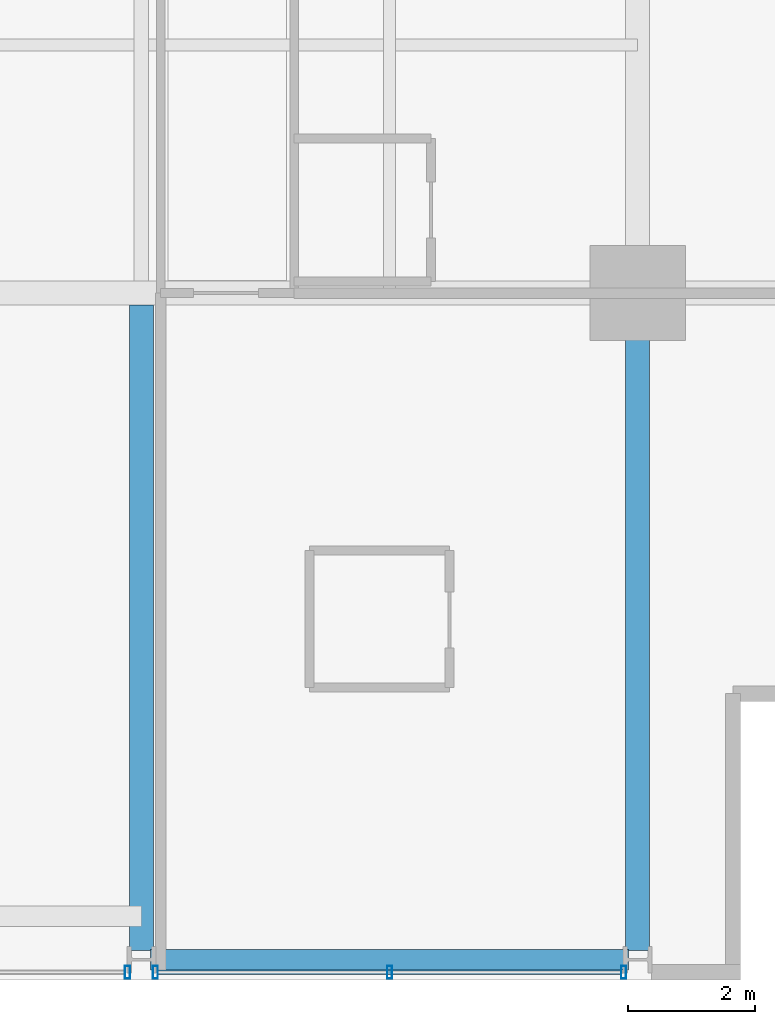
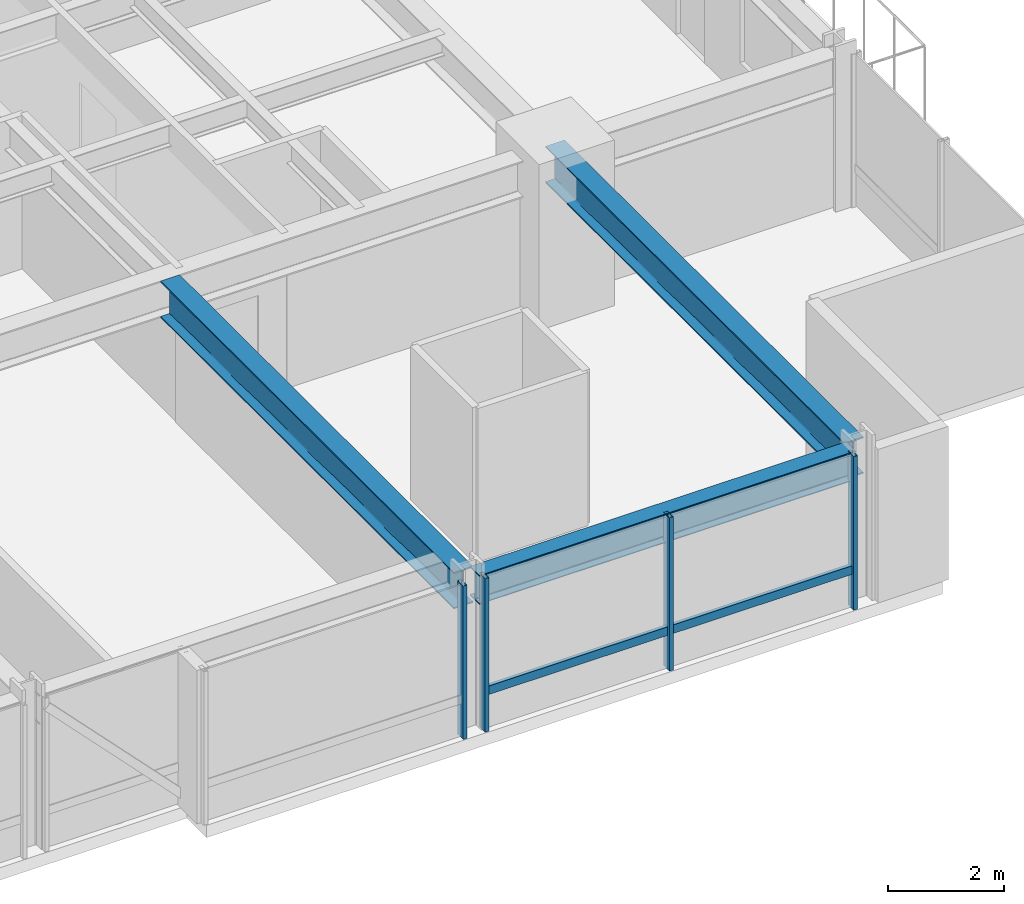
# One storey, part 11 of 34: 5 members, 3 beams, 2 elements without a shape of their own.
"""IFC4 building model written with IfcOpenShell, lengths in metres."""

from ifc_helpers import new_model, si_unit, direction, frame, origin, origin_2d, place, context, subcontext, project, spatial, hollow_rectangle, i_section, extrude, material, layer, layer_set, material_profile, profile_set, type_object, element, aggregate, save


model = new_model("IFC4")

# Units and contexts
model_context = context("Model", 3, precision=1e-05, world=origin(), true_north=direction((0.0, 1.0)))
body_context = subcontext(model_context, "Body", "Model", "MODEL_VIEW")
ifc_project = project(units=[si_unit("LENGTHUNIT", "METRE"), si_unit("AREAUNIT", "SQUARE_METRE"), si_unit("VOLUMEUNIT", "CUBIC_METRE"), si_unit("PLANEANGLEUNIT", "RADIAN"), si_unit("MASSUNIT", "GRAM", prefix="KILO")], contexts=[model_context])

# Site, building, storey
site_placement = place(None, origin())
site = spatial("IfcSite", under=ifc_project, at=site_placement, CompositionType="ELEMENT")
building_placement = place(site_placement, origin())
building = spatial("IfcBuilding", under=site, at=building_placement, Name="Drelvath Grand Hotel", CompositionType="ELEMENT")
storey_placement = place(building_placement, frame((0.0, 0.0, 116.300048828125)))
storey = spatial("IfcBuildingStorey", under=building, at=storey_placement, Name="L29", CompositionType="ELEMENT", Elevation=116.300048828125)

# Curtain wall, member
ifc_material_1 = material(Name="Champagne Bronze Anodised Aluminium Frame", Category="aluminium")
ifc_layer = layer(ifc_material_1, 0.199951171875)
ifc_layer_set = layer_set([ifc_layer], Name="Champagne Bronze Anodised Aluminium Frame")
curtain_wall_type = type_object("IfcCurtainWallType", Name="Stick Curtain Wall CW-03 Champagne Bronze Mid-Rise", PredefinedType="NOTDEFINED", material=ifc_layer_set)
curtain_wall_1_placement = place(storey_placement, origin())
curtain_wall_1 = element("IfcCurtainWall", 1, at=curtain_wall_1_placement, inside=storey, type_object=curtain_wall_type, Name="L29 CW-03 Curtain Wall CW03-L29-SE2", PredefinedType="NOTDEFINED")
ifc_material_profile_1 = material_profile(ifc_material_1, hollow_rectangle(XDim=0.074951171875, YDim=0.179931640625, WallThickness=0.0048828125, at=origin_2d()), Name="HSS180X75X5")
ifc_profile_set_1 = profile_set([ifc_material_profile_1], Name="Champagne Bronze Anodised Aluminium Frame")
member_type_1 = type_object("IfcMemberType", Name="Curtain Wall Horizontal Transom CW-03 HSS180X75X5", PredefinedType="USERDEFINED", material=ifc_profile_set_1)
member_1_placement = place(storey_placement, frame((15.9404296875, 0.1201171875, 0.81005859375), z_axis=(-1.0, 0.0, 0.0), x_axis=(0.0, -1.0, 0.0)))
member_1 = element("IfcMember", 2, at=member_1_placement, type_object=member_type_1, Name="CW03-L29-SE2 Sill Transom", ObjectType="TRANSOM", PredefinedType="USERDEFINED", context=body_context, shape_type="SweptSolid", body=[
    extrude(hollow_rectangle(XDim=0.074951171875, YDim=0.179931640625, WallThickness=0.0048828125, at=origin_2d()), origin(), (0.0, 0.0, 1.0), 7.28076171875),
])

curtain_wall_2_placement = place(storey_placement, origin())
curtain_wall_2 = element("IfcCurtainWall", 3, at=curtain_wall_2_placement, inside=storey, type_object=curtain_wall_type, Name="L29 CW-03 Curtain Wall CW03-L29-SE1", PredefinedType="NOTDEFINED")
ifc_material_profile_2 = material_profile(ifc_material_1, hollow_rectangle(XDim=0.080078125, YDim=0.199951171875, WallThickness=0.0048828125, at=origin_2d()), Name="HSS200X80X5")
ifc_profile_set_2 = profile_set([ifc_material_profile_2], Name="Champagne Bronze Anodised Aluminium Frame")
member_type_2 = type_object("IfcMemberType", Name="Curtain Wall Vertical Mullion CW-03 HSS200X80X5", PredefinedType="MULLION", material=ifc_profile_set_2)
member_2_placement = place(storey_placement, frame((8.180419921875, 0.1201171875, 0.0), z_axis=(0.0, 0.0, 1.0), x_axis=(1.0, 0.0, 0.0)))
member_2 = element("IfcMember", 4, at=member_2_placement, type_object=member_type_2, Name="CW03-L29-SE1 Mullion 1", PredefinedType="MULLION", context=body_context, shape_type="SweptSolid", body=[
    extrude(hollow_rectangle(XDim=0.080078125, YDim=0.199951171875, WallThickness=0.0048828125, at=origin_2d()), origin(), (0.0, 0.0, 1.0), 3.239990234375),
])
aggregate(curtain_wall_2, [member_2])

# Member
member_3_placement = place(storey_placement, frame((15.98046875, 0.1201171875, 0.0), z_axis=(0.0, 0.0, 1.0), x_axis=(1.0, 0.0, 0.0)))
member_3 = element("IfcMember", 5, at=member_3_placement, type_object=member_type_2, Name="CW03-L29-SE2 Mullion 1", PredefinedType="MULLION", context=body_context, shape_type="SweptSolid", body=[
    extrude(hollow_rectangle(XDim=0.080078125, YDim=0.199951171875, WallThickness=0.0048828125, at=origin_2d()), origin(), (0.0, 0.0, 1.0), 3.239990234375),
])

member_4_placement = place(storey_placement, frame((12.300048828125, 0.1201171875, 0.0), z_axis=(0.0, 0.0, 1.0), x_axis=(1.0, 0.0, 0.0)))
member_4 = element("IfcMember", 6, at=member_4_placement, type_object=member_type_2, Name="CW03-L29-SE2 Mullion 2", PredefinedType="MULLION", context=body_context, shape_type="SweptSolid", body=[
    extrude(hollow_rectangle(XDim=0.080078125, YDim=0.199951171875, WallThickness=0.0048828125, at=origin_2d()), origin(), (0.0, 0.0, 1.0), 3.239990234375),
])

member_5_placement = place(storey_placement, frame((8.61962890625, 0.1201171875, 0.0), z_axis=(0.0, 0.0, 1.0), x_axis=(1.0, 0.0, 0.0)))
member_5 = element("IfcMember", 7, at=member_5_placement, type_object=member_type_2, Name="CW03-L29-SE2 Mullion 3", PredefinedType="MULLION", context=body_context, shape_type="SweptSolid", body=[
    extrude(hollow_rectangle(XDim=0.080078125, YDim=0.199951171875, WallThickness=0.0048828125, at=origin_2d()), origin(), (0.0, 0.0, 1.0), 3.239990234375),
])

aggregate(curtain_wall_1, [member_3, member_4, member_5, member_1])

# Beams
ifc_material_2 = material(Name="Steel ASTM A992 Gr 50", Category="steel")
ifc_material_profile_3 = material_profile(ifc_material_2, i_section(OverallWidth=0.323974609375, OverallDepth=0.611083984375, WebThickness=0.0126953125, FlangeThickness=0.01904296875, FilletRadius=0.02197265625, at=origin_2d()), Name="W24X104")
ifc_profile_set_3 = profile_set([ifc_material_profile_3], Name="Steel ASTM A992 Gr 50")
beam_type_1 = type_object("IfcBeamType", Name="Perimeter Spandrel Beam W24X104", PredefinedType="SPANDREL", material=ifc_profile_set_3)
beam_1_placement = place(storey_placement, frame((8.5400390625, 0.320068359375, 2.9345703125), z_axis=(1.0, 0.0, 0.0), x_axis=(0.0, 1.0, 0.0)))
element("IfcBeam", 8, at=beam_1_placement, inside=storey, type_object=beam_type_1, Name="L29 Spandrel South E", PredefinedType="SPANDREL", context=body_context, shape_type="SweptSolid", body=[
    extrude(i_section(OverallWidth=0.323974609375, OverallDepth=0.611083984375, WebThickness=0.0126953125, FlangeThickness=0.01904296875, FilletRadius=0.02197265625, at=origin_2d()), origin(), (0.0, 0.0, 1.0), 7.52001953125),
])
ifc_material_profile_4 = material_profile(ifc_material_2, i_section(OverallWidth=0.380615234375, OverallDepth=0.773193359375, WebThickness=0.0166015625, FlangeThickness=0.027099609375, FilletRadius=0.02490234375, at=origin_2d()), Name="W30X173")
ifc_profile_set_4 = profile_set([ifc_material_profile_4], Name="Steel ASTM A992 Gr 50")
beam_type_2 = type_object("IfcBeamType", Name="Primary Floor Girder W30X173", PredefinedType="BEAM", material=ifc_profile_set_4)
beam_2_placement = place(storey_placement, frame((16.199951171875, 0.4599609375, 2.853271484375), z_axis=(0.0, 1.0, 0.0), x_axis=(-1.0, 0.0, 0.0)))
element("IfcBeam", 9, at=beam_2_placement, inside=storey, type_object=beam_type_2, Name="L29 South Grid Girder 7", PredefinedType="BEAM", context=body_context, shape_type="SweptSolid", body=[
    extrude(i_section(OverallWidth=0.380615234375, OverallDepth=0.773193359375, WebThickness=0.0166015625, FlangeThickness=0.027099609375, FilletRadius=0.02490234375, at=origin_2d()), origin(), (0.0, 0.0, 1.0), 10.340087890625),
])
beam_3_placement = place(storey_placement, frame((8.39990234375, 0.4599609375, 2.853271484375), z_axis=(0.0, 1.0, 0.0), x_axis=(-1.0, 0.0, 0.0)))
element("IfcBeam", 10, at=beam_3_placement, inside=storey, type_object=beam_type_2, Name="L29 South Wing Girder 6", PredefinedType="BEAM", context=body_context, shape_type="SweptSolid", body=[
    extrude(i_section(OverallWidth=0.380615234375, OverallDepth=0.773193359375, WebThickness=0.0166015625, FlangeThickness=0.027099609375, FilletRadius=0.02490234375, at=origin_2d()), origin(), (0.0, 0.0, 1.0), 10.149658203125),
])

save(model, "model.ifc")
